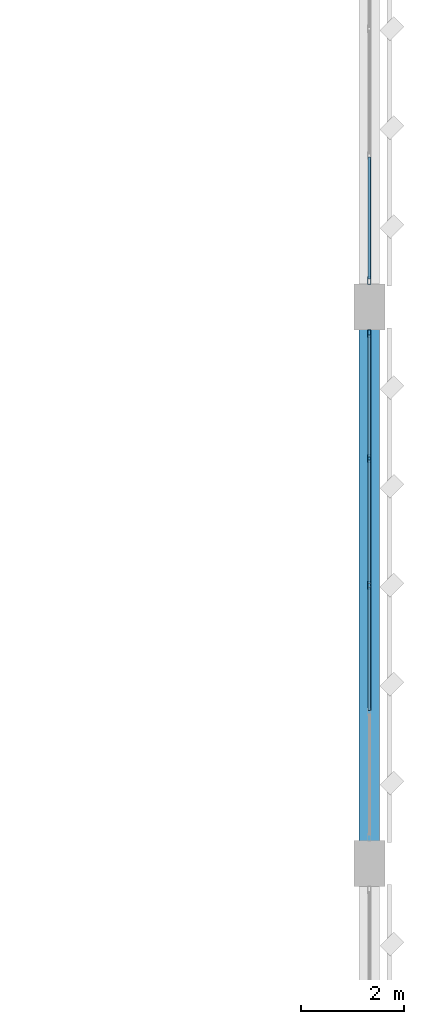
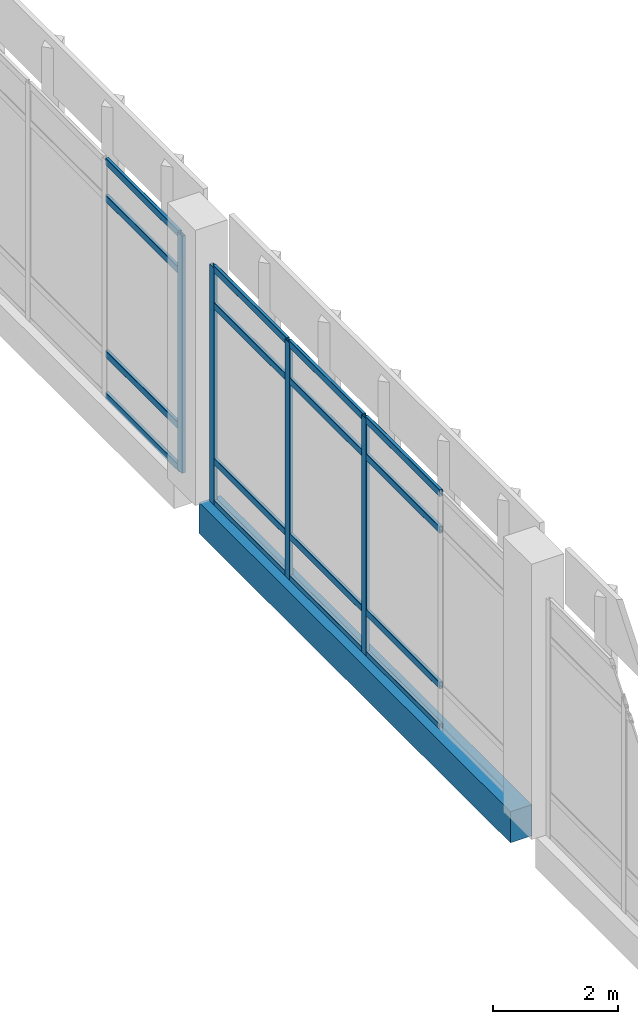
# One storey, part 103 of 180: 20 members, 1 beam, 2 elements without a shape of their own.
"""IFC4 building model written with IfcOpenShell, lengths in metres."""

from ifc_helpers import new_model, si_unit, direction, frame, origin, origin_2d, place, context, subcontext, project, spatial, rectangle, hollow_rectangle, extrude, material, material_profile, profile_set, type_object, element, aggregate, save


model = new_model("IFC4")

# Units and contexts
model_context = context("Model", 3, precision=1e-05, world=origin(), true_north=direction((0.0, 1.0)))
body_context = subcontext(model_context, "Body", "Model", "MODEL_VIEW")
ifc_project = project(units=[si_unit("LENGTHUNIT", "METRE"), si_unit("AREAUNIT", "SQUARE_METRE"), si_unit("VOLUMEUNIT", "CUBIC_METRE"), si_unit("PLANEANGLEUNIT", "RADIAN"), si_unit("MASSUNIT", "GRAM", prefix="KILO")], contexts=[model_context])

# Site, building, storey
site_placement = place(None, origin())
site = spatial("IfcSite", under=ifc_project, at=site_placement, CompositionType="ELEMENT")
building_placement = place(site_placement, origin())
building = spatial("IfcBuilding", under=site, at=building_placement, Name="Lusvemor Sports Hall", CompositionType="ELEMENT")
storey_placement = place(building_placement, frame((0.0, 0.0, 5.39990234375)))
storey = spatial("IfcBuildingStorey", under=building, at=storey_placement, Name="L01", CompositionType="ELEMENT", Elevation=5.39990234375)

# Curtain wall, members
ifc_material_1 = material(Name="Thermally broken bronze-anodized aluminium", Category="aluminium")
curtain_wall_type = type_object("IfcCurtainWallType", Name="CW_COURT_C", PredefinedType="NOTDEFINED", material=ifc_material_1)
curtain_wall_1_placement = place(storey_placement, origin())
curtain_wall_1 = element("IfcCurtainWall", 1, at=curtain_wall_1_placement, inside=storey, type_object=curtain_wall_type, Name="Curtain Wall CW-V2E-L01-2", PredefinedType="NOTDEFINED")
ifc_material_2 = material(Name="Thermally broken bronze-anodized aluminium", Category="aluminium")
ifc_material_profile_1 = material_profile(ifc_material_2, hollow_rectangle(XDim=0.06494140625, YDim=0.14990234375, WallThickness=0.00390625, InnerFilletRadius=0.00390625, OuterFilletRadius=0.008056640625, at=origin_2d()), Name="CWMUL150x65x4")
ifc_profile_set_1 = profile_set([ifc_material_profile_1], Name="Thermally broken bronze-anodized aluminium")
member_type_1 = type_object("IfcMemberType", Name="CW_MUL_B", PredefinedType="MULLION", material=ifc_profile_set_1)
member_1_placement = place(storey_placement, frame((169.199951171875, 28.28759765625, 0.0), z_axis=(0.0, 0.0, 1.0), x_axis=(1.0, 0.0, 0.0)))
member_1 = element("IfcMember", 2, at=member_1_placement, type_object=member_type_1, Name="CW03 mullion 1", PredefinedType="MULLION", context=body_context, shape_type="SweptSolid", body=[
    extrude(hollow_rectangle(XDim=0.06494140625, YDim=0.14990234375, WallThickness=0.00390625, InnerFilletRadius=0.00390625, OuterFilletRadius=0.008056640625, at=origin_2d()), origin(), (0.0, 0.0, 1.0), 4.650146484375),
])
member_2_placement = place(storey_placement, frame((169.199951171875, 25.860107421875, 0.0), z_axis=(0.0, 0.0, 1.0), x_axis=(1.0, 0.0, 0.0)))
member_2 = element("IfcMember", 3, at=member_2_placement, type_object=member_type_1, Name="CW03 mullion 2", PredefinedType="MULLION", context=body_context, shape_type="SweptSolid", body=[
    extrude(hollow_rectangle(XDim=0.06494140625, YDim=0.14990234375, WallThickness=0.00390625, InnerFilletRadius=0.00390625, OuterFilletRadius=0.008056640625, at=origin_2d()), origin(), (0.0, 0.0, 1.0), 4.650146484375),
])
member_3_placement = place(storey_placement, frame((169.199951171875, 23.39990234375, 0.0), z_axis=(0.0, 0.0, 1.0), x_axis=(1.0, 0.0, 0.0)))
member_3 = element("IfcMember", 4, at=member_3_placement, type_object=member_type_1, Name="CW03 mullion 3", PredefinedType="MULLION", context=body_context, shape_type="SweptSolid", body=[
    extrude(hollow_rectangle(XDim=0.06494140625, YDim=0.14990234375, WallThickness=0.00390625, InnerFilletRadius=0.00390625, OuterFilletRadius=0.008056640625, at=origin_2d()), origin(), (0.0, 0.0, 1.0), 4.650146484375),
])

# Curtain wall, member
curtain_wall_2_placement = place(storey_placement, origin())
curtain_wall_2 = element("IfcCurtainWall", 5, at=curtain_wall_2_placement, inside=storey, type_object=curtain_wall_type, Name="Curtain Wall CW-V2E-L01-3", PredefinedType="NOTDEFINED")
member_4_placement = place(storey_placement, frame((169.199951171875, 29.3125, 0.0), z_axis=(0.0, 0.0, 1.0), x_axis=(1.0, 0.0, 0.0)))
member_4 = element("IfcMember", 6, at=member_4_placement, type_object=member_type_1, Name="CW03 mullion 5", PredefinedType="MULLION", context=body_context, shape_type="SweptSolid", body=[
    extrude(hollow_rectangle(XDim=0.06494140625, YDim=0.14990234375, WallThickness=0.00390625, InnerFilletRadius=0.00390625, OuterFilletRadius=0.008056640625, at=origin_2d()), origin(), (0.0, 0.0, 1.0), 4.650146484375),
])

# Member
ifc_material_3 = material(Name="Thermally broken bronze-anodized aluminium", Category="aluminium")
ifc_material_profile_2 = material_profile(ifc_material_3, hollow_rectangle(XDim=0.06005859375, YDim=0.135009765625, WallThickness=0.00390625, InnerFilletRadius=0.00390625, OuterFilletRadius=0.008056640625, at=origin_2d()), Name="CWTRN135x60x4")
ifc_profile_set_2 = profile_set([ifc_material_profile_2], Name="Thermally broken bronze-anodized aluminium")
member_type_2 = type_object("IfcMemberType", Name="CW_TRN_B", PredefinedType="USERDEFINED", material=ifc_profile_set_2)
member_5_placement = place(storey_placement, frame((169.199951171875, 28.2548828125, 0.030029296875), z_axis=(0.0, -1.0, 0.0), x_axis=(1.0, 0.0, 0.0)))
member_5 = element("IfcMember", 7, at=member_5_placement, type_object=member_type_2, Name="CW03 transom 1.1", ObjectType="TRANSOM", PredefinedType="USERDEFINED", context=body_context, shape_type="SweptSolid", body=[
    extrude(hollow_rectangle(XDim=0.06005859375, YDim=0.135009765625, WallThickness=0.00390625, InnerFilletRadius=0.00390625, OuterFilletRadius=0.008056640625, at=origin_2d()), origin(), (0.0, 0.0, 1.0), 2.3623046875),
])

member_6_placement = place(storey_placement, frame((169.199951171875, 28.2548828125, 0.85009765625), z_axis=(0.0, -1.0, 0.0), x_axis=(1.0, 0.0, 0.0)))
member_6 = element("IfcMember", 8, at=member_6_placement, type_object=member_type_2, Name="CW03 transom 1.2", ObjectType="TRANSOM", PredefinedType="USERDEFINED", context=body_context, shape_type="SweptSolid", body=[
    extrude(hollow_rectangle(XDim=0.06005859375, YDim=0.135009765625, WallThickness=0.00390625, InnerFilletRadius=0.00390625, OuterFilletRadius=0.008056640625, at=origin_2d()), origin(), (0.0, 0.0, 1.0), 2.3623046875),
])

member_7_placement = place(storey_placement, frame((169.199951171875, 28.2548828125, 3.900146484375), z_axis=(0.0, -1.0, 0.0), x_axis=(1.0, 0.0, 0.0)))
member_7 = element("IfcMember", 9, at=member_7_placement, type_object=member_type_2, Name="CW03 transom 1.3", ObjectType="TRANSOM", PredefinedType="USERDEFINED", context=body_context, shape_type="SweptSolid", body=[
    extrude(hollow_rectangle(XDim=0.06005859375, YDim=0.135009765625, WallThickness=0.00390625, InnerFilletRadius=0.00390625, OuterFilletRadius=0.008056640625, at=origin_2d()), origin(), (0.0, 0.0, 1.0), 2.3623046875),
])

member_8_placement = place(storey_placement, frame((169.199951171875, 28.2548828125, 4.6201171875), z_axis=(0.0, -1.0, 0.0), x_axis=(1.0, 0.0, 0.0)))
member_8 = element("IfcMember", 10, at=member_8_placement, type_object=member_type_2, Name="CW03 transom 1.4", ObjectType="TRANSOM", PredefinedType="USERDEFINED", context=body_context, shape_type="SweptSolid", body=[
    extrude(hollow_rectangle(XDim=0.06005859375, YDim=0.135009765625, WallThickness=0.00390625, InnerFilletRadius=0.00390625, OuterFilletRadius=0.008056640625, at=origin_2d()), origin(), (0.0, 0.0, 1.0), 2.3623046875),
])

member_9_placement = place(storey_placement, frame((169.199951171875, 25.827392578125, 0.030029296875), z_axis=(0.0, -1.0, 0.0), x_axis=(1.0, 0.0, 0.0)))
member_9 = element("IfcMember", 11, at=member_9_placement, type_object=member_type_2, Name="CW03 transom 2.1", ObjectType="TRANSOM", PredefinedType="USERDEFINED", context=body_context, shape_type="SweptSolid", body=[
    extrude(hollow_rectangle(XDim=0.06005859375, YDim=0.135009765625, WallThickness=0.00390625, InnerFilletRadius=0.00390625, OuterFilletRadius=0.008056640625, at=origin_2d()), origin(), (0.0, 0.0, 1.0), 2.394775390625),
])

member_10_placement = place(storey_placement, frame((169.199951171875, 25.827392578125, 0.85009765625), z_axis=(0.0, -1.0, 0.0), x_axis=(1.0, 0.0, 0.0)))
member_10 = element("IfcMember", 12, at=member_10_placement, type_object=member_type_2, Name="CW03 transom 2.2", ObjectType="TRANSOM", PredefinedType="USERDEFINED", context=body_context, shape_type="SweptSolid", body=[
    extrude(hollow_rectangle(XDim=0.06005859375, YDim=0.135009765625, WallThickness=0.00390625, InnerFilletRadius=0.00390625, OuterFilletRadius=0.008056640625, at=origin_2d()), origin(), (0.0, 0.0, 1.0), 2.394775390625),
])

member_11_placement = place(storey_placement, frame((169.199951171875, 25.827392578125, 3.900146484375), z_axis=(0.0, -1.0, 0.0), x_axis=(1.0, 0.0, 0.0)))
member_11 = element("IfcMember", 13, at=member_11_placement, type_object=member_type_2, Name="CW03 transom 2.3", ObjectType="TRANSOM", PredefinedType="USERDEFINED", context=body_context, shape_type="SweptSolid", body=[
    extrude(hollow_rectangle(XDim=0.06005859375, YDim=0.135009765625, WallThickness=0.00390625, InnerFilletRadius=0.00390625, OuterFilletRadius=0.008056640625, at=origin_2d()), origin(), (0.0, 0.0, 1.0), 2.394775390625),
])

member_12_placement = place(storey_placement, frame((169.199951171875, 25.827392578125, 4.6201171875), z_axis=(0.0, -1.0, 0.0), x_axis=(1.0, 0.0, 0.0)))
member_12 = element("IfcMember", 14, at=member_12_placement, type_object=member_type_2, Name="CW03 transom 2.4", ObjectType="TRANSOM", PredefinedType="USERDEFINED", context=body_context, shape_type="SweptSolid", body=[
    extrude(hollow_rectangle(XDim=0.06005859375, YDim=0.135009765625, WallThickness=0.00390625, InnerFilletRadius=0.00390625, OuterFilletRadius=0.008056640625, at=origin_2d()), origin(), (0.0, 0.0, 1.0), 2.394775390625),
])

member_13_placement = place(storey_placement, frame((169.199951171875, 23.367431640625, 0.030029296875), z_axis=(0.0, -1.0, 0.0), x_axis=(1.0, 0.0, 0.0)))
member_13 = element("IfcMember", 15, at=member_13_placement, type_object=member_type_2, Name="CW03 transom 3.1", ObjectType="TRANSOM", PredefinedType="USERDEFINED", context=body_context, shape_type="SweptSolid", body=[
    extrude(hollow_rectangle(XDim=0.06005859375, YDim=0.135009765625, WallThickness=0.00390625, InnerFilletRadius=0.00390625, OuterFilletRadius=0.008056640625, at=origin_2d()), origin(), (0.0, 0.0, 1.0), 2.39501953125),
])

member_14_placement = place(storey_placement, frame((169.199951171875, 23.367431640625, 0.85009765625), z_axis=(0.0, -1.0, 0.0), x_axis=(1.0, 0.0, 0.0)))
member_14 = element("IfcMember", 16, at=member_14_placement, type_object=member_type_2, Name="CW03 transom 3.2", ObjectType="TRANSOM", PredefinedType="USERDEFINED", context=body_context, shape_type="SweptSolid", body=[
    extrude(hollow_rectangle(XDim=0.06005859375, YDim=0.135009765625, WallThickness=0.00390625, InnerFilletRadius=0.00390625, OuterFilletRadius=0.008056640625, at=origin_2d()), origin(), (0.0, 0.0, 1.0), 2.39501953125),
])

member_15_placement = place(storey_placement, frame((169.199951171875, 23.367431640625, 3.900146484375), z_axis=(0.0, -1.0, 0.0), x_axis=(1.0, 0.0, 0.0)))
member_15 = element("IfcMember", 17, at=member_15_placement, type_object=member_type_2, Name="CW03 transom 3.3", ObjectType="TRANSOM", PredefinedType="USERDEFINED", context=body_context, shape_type="SweptSolid", body=[
    extrude(hollow_rectangle(XDim=0.06005859375, YDim=0.135009765625, WallThickness=0.00390625, InnerFilletRadius=0.00390625, OuterFilletRadius=0.008056640625, at=origin_2d()), origin(), (0.0, 0.0, 1.0), 2.39501953125),
])

member_16_placement = place(storey_placement, frame((169.199951171875, 23.367431640625, 4.6201171875), z_axis=(0.0, -1.0, 0.0), x_axis=(1.0, 0.0, 0.0)))
member_16 = element("IfcMember", 18, at=member_16_placement, type_object=member_type_2, Name="CW03 transom 3.4", ObjectType="TRANSOM", PredefinedType="USERDEFINED", context=body_context, shape_type="SweptSolid", body=[
    extrude(hollow_rectangle(XDim=0.06005859375, YDim=0.135009765625, WallThickness=0.00390625, InnerFilletRadius=0.00390625, OuterFilletRadius=0.008056640625, at=origin_2d()), origin(), (0.0, 0.0, 1.0), 2.39501953125),
])

aggregate(curtain_wall_1, [member_1, member_2, member_3, member_5, member_6, member_7, member_8, member_9, member_10, member_11, member_12, member_13, member_14, member_15, member_16])

member_17_placement = place(storey_placement, frame((169.199951171875, 31.70751953125, 0.030029296875), z_axis=(0.0, -1.0, 0.0), x_axis=(1.0, 0.0, 0.0)))
member_17 = element("IfcMember", 19, at=member_17_placement, type_object=member_type_2, Name="CW03 transom 4.1", ObjectType="TRANSOM", PredefinedType="USERDEFINED", context=body_context, shape_type="SweptSolid", body=[
    extrude(hollow_rectangle(XDim=0.06005859375, YDim=0.135009765625, WallThickness=0.00390625, InnerFilletRadius=0.00390625, OuterFilletRadius=0.008056640625, at=origin_2d()), origin(), (0.0, 0.0, 1.0), 2.362548828125),
])

member_18_placement = place(storey_placement, frame((169.199951171875, 31.70751953125, 0.85009765625), z_axis=(0.0, -1.0, 0.0), x_axis=(1.0, 0.0, 0.0)))
member_18 = element("IfcMember", 20, at=member_18_placement, type_object=member_type_2, Name="CW03 transom 4.2", ObjectType="TRANSOM", PredefinedType="USERDEFINED", context=body_context, shape_type="SweptSolid", body=[
    extrude(hollow_rectangle(XDim=0.06005859375, YDim=0.135009765625, WallThickness=0.00390625, InnerFilletRadius=0.00390625, OuterFilletRadius=0.008056640625, at=origin_2d()), origin(), (0.0, 0.0, 1.0), 2.362548828125),
])

member_19_placement = place(storey_placement, frame((169.199951171875, 31.70751953125, 3.900146484375), z_axis=(0.0, -1.0, 0.0), x_axis=(1.0, 0.0, 0.0)))
member_19 = element("IfcMember", 21, at=member_19_placement, type_object=member_type_2, Name="CW03 transom 4.3", ObjectType="TRANSOM", PredefinedType="USERDEFINED", context=body_context, shape_type="SweptSolid", body=[
    extrude(hollow_rectangle(XDim=0.06005859375, YDim=0.135009765625, WallThickness=0.00390625, InnerFilletRadius=0.00390625, OuterFilletRadius=0.008056640625, at=origin_2d()), origin(), (0.0, 0.0, 1.0), 2.362548828125),
])

member_20_placement = place(storey_placement, frame((169.199951171875, 31.70751953125, 4.6201171875), z_axis=(0.0, -1.0, 0.0), x_axis=(1.0, 0.0, 0.0)))
member_20 = element("IfcMember", 22, at=member_20_placement, type_object=member_type_2, Name="CW03 transom 4.4", ObjectType="TRANSOM", PredefinedType="USERDEFINED", context=body_context, shape_type="SweptSolid", body=[
    extrude(hollow_rectangle(XDim=0.06005859375, YDim=0.135009765625, WallThickness=0.00390625, InnerFilletRadius=0.00390625, OuterFilletRadius=0.008056640625, at=origin_2d()), origin(), (0.0, 0.0, 1.0), 2.362548828125),
])

aggregate(curtain_wall_2, [member_4, member_17, member_18, member_19, member_20])

# Beam
ifc_material_4 = material(Name="Concrete C40/50", Category="concrete")
ifc_material_profile_3 = material_profile(ifc_material_4, rectangle(XDim=0.39990234375, YDim=0.610107421875, at=origin_2d()), Name="RC400x610")
ifc_profile_set_3 = profile_set([ifc_material_profile_3], Name="Concrete C40/50")
beam_type = type_object("IfcBeamType", Name="SPAND_EXT_650", PredefinedType="SPANDREL", material=ifc_profile_set_3)
beam_placement = place(storey_placement, frame((169.199951171875, 18.39990234375, -0.304931640625), z_axis=(0.0, 1.0, 0.0), x_axis=(-1.0, 0.0, 0.0)))
element("IfcBeam", 23, at=beam_placement, inside=storey, type_object=beam_type, Name="East Court Facade Girt L01-2", PredefinedType="SPANDREL", context=body_context, shape_type="SweptSolid", body=[
    extrude(rectangle(XDim=0.39990234375, YDim=0.610107421875, at=origin_2d()), origin(), (0.0, 0.0, 1.0), 10.0),
])

save(model, "model.ifc")
